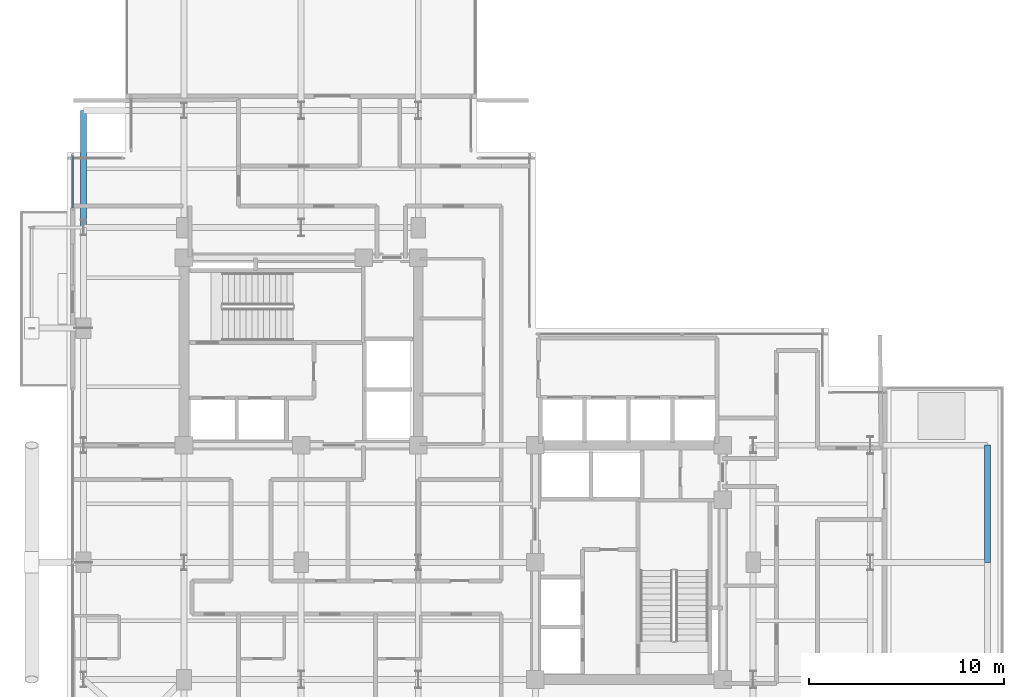
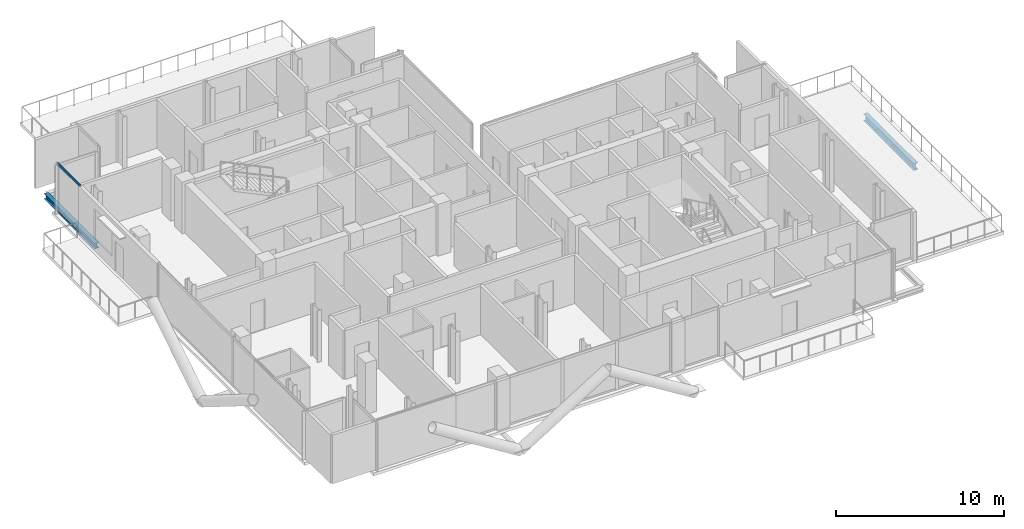
# One storey, part 14 of 28: 2 beams, 2 members, 1 element without a shape of its own.
"""IFC4 building model written with IfcOpenShell, lengths in metres."""

from ifc_helpers import new_model, si_unit, direction, frame, origin, origin_2d, place, context, subcontext, project, spatial, hollow_rectangle, i_section, extrude, material, layer, layer_set, material_profile, profile_set, type_object, element, aggregate, save


model = new_model("IFC4")

# Units and contexts
model_context = context("Model", 3, precision=1e-05, world=origin(), true_north=direction((0.0, 1.0)))
body_context = subcontext(model_context, "Body", "Model", "MODEL_VIEW")
ifc_project = project(units=[si_unit("LENGTHUNIT", "METRE"), si_unit("AREAUNIT", "SQUARE_METRE"), si_unit("VOLUMEUNIT", "CUBIC_METRE"), si_unit("PLANEANGLEUNIT", "RADIAN"), si_unit("MASSUNIT", "GRAM", prefix="KILO"), si_unit("THERMODYNAMICTEMPERATUREUNIT", "KELVIN"), si_unit("POWERUNIT", "WATT")], contexts=[model_context])

# Site, building, storey
site_placement = place(None, origin())
site = spatial("IfcSite", under=ifc_project, at=site_placement, CompositionType="ELEMENT")
building_placement = place(site_placement, origin())
building = spatial("IfcBuilding", under=site, at=building_placement, Name="Svarakhadi Broadcast Tower", CompositionType="ELEMENT")
storey_placement = place(building_placement, frame((0.0, 0.0, 169.199951171875)))
storey = spatial("IfcBuildingStorey", under=building, at=storey_placement, Name="L41", CompositionType="ELEMENT", Elevation=169.199951171875)

# Curtain wall, members
ifc_material_1 = material(Name="Anodised Bronze Aluminium AA 6063-T6", Category="aluminium")
ifc_layer = layer(ifc_material_1, 0.18994140625)
ifc_layer_set = layer_set([ifc_layer], Name="Anodised Bronze Aluminium AA 6063-T6")
curtain_wall_type = type_object("IfcCurtainWallType", Name="CW_Sys_04", PredefinedType="NOTDEFINED", material=ifc_layer_set)
curtain_wall_placement = place(storey_placement, origin())
curtain_wall = element("IfcCurtainWall", 1, at=curtain_wall_placement, inside=storey, type_object=curtain_wall_type, Name="L41 West Curtain Wall 03", PredefinedType="NOTDEFINED")
ifc_material_profile_1 = material_profile(ifc_material_1, hollow_rectangle(XDim=0.06494140625, YDim=0.175048828125, WallThickness=0.0048828125, at=origin_2d()), Name="ALU TRANSOM 175x65x5")
ifc_profile_set_1 = profile_set([ifc_material_profile_1], Name="Anodised Bronze Aluminium AA 6063-T6")
member_type = type_object("IfcMemberType", Name="CW_Sys_04_Trn", PredefinedType="USERDEFINED", material=ifc_profile_set_1)
member_1_placement = place(storey_placement, frame((0.300048828125, 30.159912109375, 0.032470703125), z_axis=(0.0, 1.0, 0.0), x_axis=(-1.0, 0.0, 0.0)))
member_1 = element("IfcMember", 2, at=member_1_placement, type_object=member_type, Name="CW-04 transom 1.1", ObjectType="TRANSOM", PredefinedType="USERDEFINED", context=body_context, shape_type="SweptSolid", body=[
    extrude(hollow_rectangle(XDim=0.06494140625, YDim=0.175048828125, WallThickness=0.0048828125, at=origin_2d()), origin(), (0.0, 0.0, 1.0), 2.68017578125),
])
member_2_placement = place(storey_placement, frame((0.300048828125, 30.159912109375, 3.507568359375), z_axis=(0.0, 1.0, 0.0), x_axis=(-1.0, 0.0, 0.0)))
member_2 = element("IfcMember", 3, at=member_2_placement, type_object=member_type, Name="CW-04 transom 1.2", ObjectType="TRANSOM", PredefinedType="USERDEFINED", context=body_context, shape_type="SweptSolid", body=[
    extrude(hollow_rectangle(XDim=0.06494140625, YDim=0.175048828125, WallThickness=0.0048828125, at=origin_2d()), origin(), (0.0, 0.0, 1.0), 2.68017578125),
])
aggregate(curtain_wall, [member_1, member_2])

# Beams
ifc_material_2 = material(Name="Steel S355J2 (IS 2062 E350C)", Category="steel")
ifc_material_profile_2 = material_profile(ifc_material_2, i_section(OverallWidth=0.300048828125, OverallDepth=0.39990234375, WebThickness=0.013427734375, FlangeThickness=0.02392578125, FilletRadius=0.027099609375, at=origin_2d()), Name="WPB 400x300x155")
ifc_profile_set_2 = profile_set([ifc_material_profile_2], Name="Steel S355J2 (IS 2062 E350C)")
beam_type_1 = type_object("IfcBeamType", Name="Girder_WPB400", PredefinedType="USERDEFINED", material=ifc_profile_set_2)
beam_1_placement = place(storey_placement, frame((0.85009765625, 29.14990234375, -0.409912109375), z_axis=(0.0, 1.0, 0.0), x_axis=(-1.0, 0.0, 0.0)))
element("IfcBeam", 4, at=beam_1_placement, inside=storey, type_object=beam_type_1, Name="L41 Primary N-S Girder G039", ObjectType="GIRDER", PredefinedType="USERDEFINED", context=body_context, shape_type="SweptSolid", body=[
    extrude(i_section(OverallWidth=0.300048828125, OverallDepth=0.39990234375, WebThickness=0.013427734375, FlangeThickness=0.02392578125, FilletRadius=0.027099609375, at=origin_2d()), origin(), (0.0, 0.0, 1.0), 6.0),
])
ifc_material_profile_3 = material_profile(ifc_material_2, i_section(OverallWidth=0.300048828125, OverallDepth=0.5, WebThickness=0.014404296875, FlangeThickness=0.028076171875, FilletRadius=0.027099609375, at=origin_2d()), Name="WPB 500x300x187")
ifc_profile_set_3 = profile_set([ifc_material_profile_3], Name="Steel S355J2 (IS 2062 E350C)")
beam_type_2 = type_object("IfcBeamType", Name="Girder_WPB500", PredefinedType="USERDEFINED", material=ifc_profile_set_3)
beam_2_placement = place(storey_placement, frame((47.14990234375, 12.0, -0.489990234375), z_axis=(0.0, 1.0, 0.0), x_axis=(-1.0, 0.0, 0.0)))
element("IfcBeam", 5, at=beam_2_placement, inside=storey, type_object=beam_type_2, Name="L41 East Setback Terrace Rim Girder 2", ObjectType="GIRDER", PredefinedType="USERDEFINED", context=body_context, shape_type="SweptSolid", body=[
    extrude(i_section(OverallWidth=0.300048828125, OverallDepth=0.5, WebThickness=0.014404296875, FlangeThickness=0.028076171875, FilletRadius=0.027099609375, at=origin_2d()), origin(), (0.0, 0.0, 1.0), 6.0),
])

save(model, "model.ifc")
